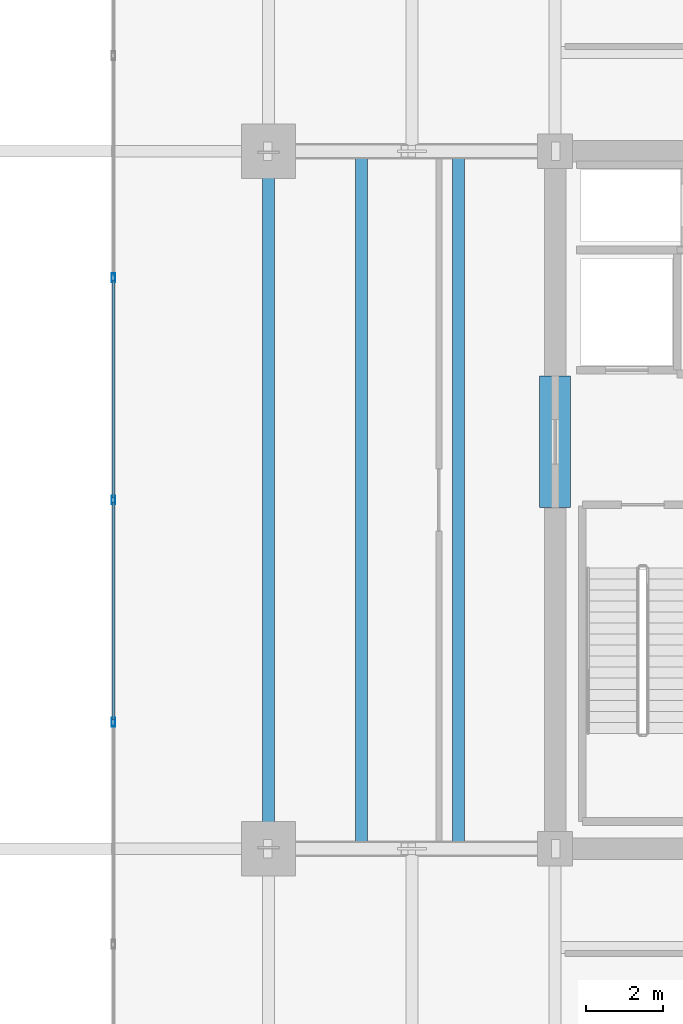
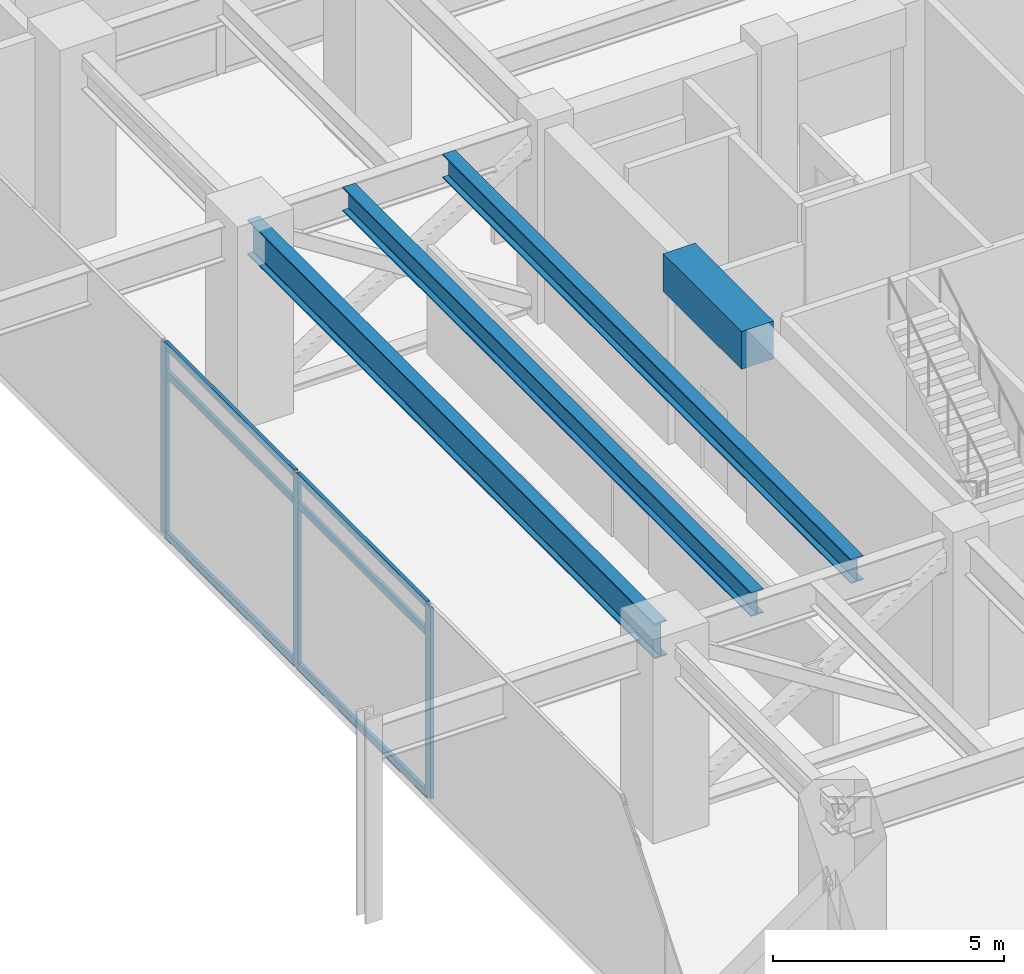
# One storey, part 6 of 21: 9 members, 4 beams, 1 element without a shape of its own.
"""IFC4 building model written with IfcOpenShell, lengths in metres."""

from ifc_helpers import new_model, si_unit, direction, frame, origin, origin_2d, place, context, subcontext, project, spatial, rectangle, hollow_rectangle, i_section, extrude, material, material_profile, profile_set, type_object, element, aggregate, save


model = new_model("IFC4")

# Units and contexts
model_context = context("Model", 3, precision=1e-05, world=origin(), true_north=direction((0.0, 1.0)))
body_context = subcontext(model_context, "Body", "Model", "MODEL_VIEW")
ifc_project = project(units=[si_unit("LENGTHUNIT", "METRE"), si_unit("AREAUNIT", "SQUARE_METRE"), si_unit("VOLUMEUNIT", "CUBIC_METRE"), si_unit("PLANEANGLEUNIT", "RADIAN"), si_unit("MASSUNIT", "GRAM", prefix="KILO")], contexts=[model_context])

# Site, building, storey
site_placement = place(None, origin())
site = spatial("IfcSite", under=ifc_project, at=site_placement, CompositionType="ELEMENT")
building_placement = place(site_placement, origin())
building = spatial("IfcBuilding", under=site, at=building_placement, Name="Kovane Verandah Tower", CompositionType="ELEMENT")
storey_placement = place(building_placement, frame((0.0, 0.0, 189.39990234375)))
storey = spatial("IfcBuildingStorey", under=building, at=storey_placement, Name="L44", CompositionType="ELEMENT", Elevation=189.39990234375)

# Beams
ifc_material_1 = material(Name="Concrete C60/75", Category="concrete")
ifc_material_profile_1 = material_profile(ifc_material_1, rectangle(XDim=0.800048828125, YDim=1.0, at=origin_2d()), Name="RCB800x1000")
ifc_profile_set_1 = profile_set([ifc_material_profile_1], Name="Concrete C60/75")
beam_type_1 = type_object("IfcBeamType", Name="BM-LINTEL-800x1000", PredefinedType="LINTEL", material=ifc_profile_set_1)
beam_1_placement = place(storey_placement, frame((29.0, 27.300048828125, 4.60009765625), z_axis=(0.0, 1.0, 0.0), x_axis=(-1.0, 0.0, 0.0)))
element("IfcBeam", 1, at=beam_1_placement, inside=storey, type_object=beam_type_1, Name="L44 Core Coupling Lintel CL-W", PredefinedType="LINTEL", context=body_context, shape_type="SweptSolid", body=[
    extrude(rectangle(XDim=0.800048828125, YDim=1.0, at=origin_2d()), origin(), (0.0, 0.0, 1.0), 3.39990234375),
])
ifc_material_2 = material(Name="Steel S460", Category="steel")
ifc_material_profile_2 = material_profile(ifc_material_2, i_section(OverallWidth=0.311279296875, OverallDepth=0.6357421875, WebThickness=0.018310546875, FlangeThickness=0.031494140625, FilletRadius=0.0166015625, at=origin_2d()), Name="UB610x305x238")
ifc_profile_set_2 = profile_set([ifc_material_profile_2], Name="Steel S460")
beam_type_2 = type_object("IfcBeamType", Name="BM-UB610x238", PredefinedType="BEAM", material=ifc_profile_set_2)
for number, where, z_axis, x_axis, name in (
    (2, (24.0, 18.65185546875, 4.7822265625), (0.0, 1.0, 0.0), (-1.0, 0.0, 0.0), "L44 Secondary Composite Joist J-W1"),
    (3, (26.5, 18.65185546875, 4.7822265625), (0.0, 1.0, 0.0), (-1.0, 0.0, 0.0), "L44 Secondary Composite Joist J-W2"),
):
    element("IfcBeam", number, at=place(storey_placement, frame(where, z_axis=z_axis, x_axis=x_axis)), inside=storey, type_object=beam_type_2, Name=name, PredefinedType="BEAM", context=body_context, shape_type="SweptSolid", body=[
        extrude(i_section(OverallWidth=0.311279296875, OverallDepth=0.6357421875, WebThickness=0.018310546875, FlangeThickness=0.031494140625, FilletRadius=0.0166015625, at=origin_2d()), origin(), (0.0, 0.0, 1.0), 17.6962890625),
    ])
ifc_material_profile_3 = material_profile(ifc_material_2, i_section(OverallWidth=0.3076171875, OverallDepth=0.926513671875, WebThickness=0.01953125, FlangeThickness=0.031982421875, FilletRadius=0.01904296875, at=origin_2d()), Name="UB914x305x289")
ifc_profile_set_3 = profile_set([ifc_material_profile_3], Name="Steel S460")
beam_type_3 = type_object("IfcBeamType", Name="BM-UB914x289", PredefinedType="BEAM", material=ifc_profile_set_3)
beam_2_placement = place(storey_placement, frame((21.60009765625, 18.679931640625, 4.63671875), z_axis=(0.0, 1.0, 0.0), x_axis=(-1.0, 0.0, 0.0)))
element("IfcBeam", 4, at=beam_2_placement, inside=storey, type_object=beam_type_3, Name="L44 Primary Tower Girder G-RW2", PredefinedType="BEAM", context=body_context, shape_type="SweptSolid", body=[
    extrude(i_section(OverallWidth=0.3076171875, OverallDepth=0.926513671875, WebThickness=0.01953125, FlangeThickness=0.031982421875, FilletRadius=0.01904296875, at=origin_2d()), origin(), (0.0, 0.0, 1.0), 17.64013671875),
])

# Curtain wall, members
ifc_material_3 = material(Name="Champagne Anodised Aluminium Frame with Low-E Clear Laminated Glass", Category="aluminium")
curtain_wall_type = type_object("IfcCurtainWallType", Name="CW-SYS-04-WAIST", PredefinedType="NOTDEFINED", material=ifc_material_3)
curtain_wall_placement = place(storey_placement, origin())
curtain_wall = element("IfcCurtainWall", 5, at=curtain_wall_placement, inside=storey, type_object=curtain_wall_type, Name="L44 W Unitised Curtain Wall", PredefinedType="NOTDEFINED")
ifc_material_4 = material(Name="Champagne Anodised Aluminium 6063-T6", Category="aluminium")
ifc_material_profile_4 = material_profile(ifc_material_4, hollow_rectangle(XDim=0.0849609375, YDim=0.22998046875, WallThickness=0.00390625, at=origin_2d()), Name="AL85x230x4")
ifc_profile_set_4 = profile_set([ifc_material_profile_4], Name="Champagne Anodised Aluminium 6063-T6")
member_type_1 = type_object("IfcMemberType", Name="CW-MUL-85x230", PredefinedType="MULLION", material=ifc_profile_set_4)
member_1_placement = place(storey_placement, frame((17.60009765625, 33.2333984375, 0.02001953125), z_axis=(0.0, 0.0, 1.0), x_axis=(-1.0, 0.0, 0.0)))
member_1 = element("IfcMember", 6, at=member_1_placement, type_object=member_type_1, Name="L44 W Unitised Curtain Wall Mullion 3", PredefinedType="MULLION", context=body_context, shape_type="SweptSolid", body=[
    extrude(hollow_rectangle(XDim=0.0849609375, YDim=0.22998046875, WallThickness=0.00390625, at=origin_2d()), origin(), (0.0, 0.0, 1.0), 5.06005859375),
])
member_2_placement = place(storey_placement, frame((17.60009765625, 27.5, 0.02001953125), z_axis=(0.0, 0.0, 1.0), x_axis=(-1.0, 0.0, 0.0)))
member_2 = element("IfcMember", 7, at=member_2_placement, type_object=member_type_1, Name="L44 W Unitised Curtain Wall Mullion 4", PredefinedType="MULLION", context=body_context, shape_type="SweptSolid", body=[
    extrude(hollow_rectangle(XDim=0.0849609375, YDim=0.22998046875, WallThickness=0.00390625, at=origin_2d()), origin(), (0.0, 0.0, 1.0), 5.06005859375),
])
member_3_placement = place(storey_placement, frame((17.60009765625, 21.7666015625, 0.02001953125), z_axis=(0.0, 0.0, 1.0), x_axis=(-1.0, 0.0, 0.0)))
member_3 = element("IfcMember", 8, at=member_3_placement, type_object=member_type_1, Name="L44 W Unitised Curtain Wall Mullion 5", PredefinedType="MULLION", context=body_context, shape_type="SweptSolid", body=[
    extrude(hollow_rectangle(XDim=0.0849609375, YDim=0.22998046875, WallThickness=0.00390625, at=origin_2d()), origin(), (0.0, 0.0, 1.0), 5.06005859375),
])
ifc_material_profile_5 = material_profile(ifc_material_4, hollow_rectangle(XDim=0.0849609375, YDim=0.18994140625, WallThickness=0.00390625, at=origin_2d()), Name="AL85x190x4")
ifc_profile_set_5 = profile_set([ifc_material_profile_5], Name="Champagne Anodised Aluminium 6063-T6")
member_type_2 = type_object("IfcMemberType", Name="CW-TRN-85x190", PredefinedType="USERDEFINED", material=ifc_profile_set_5)
member_4_placement = place(storey_placement, frame((17.60009765625, 33.183349609375, 0.050048828125), z_axis=(0.0, -1.0, 0.0), x_axis=(1.0, 0.0, 0.0)))
member_4 = element("IfcMember", 9, at=member_4_placement, type_object=member_type_2, Name="L44 W Unitised Curtain Wall Transom TB Bay 3", ObjectType="TRANSOM", PredefinedType="USERDEFINED", context=body_context, shape_type="SweptSolid", body=[
    extrude(hollow_rectangle(XDim=0.0849609375, YDim=0.18994140625, WallThickness=0.00390625, at=origin_2d()), origin(), (0.0, 0.0, 1.0), 5.63330078125),
])
member_5_placement = place(storey_placement, frame((17.60009765625, 33.183349609375, 4.320068359375), z_axis=(0.0, -1.0, 0.0), x_axis=(1.0, 0.0, 0.0)))
member_5 = element("IfcMember", 10, at=member_5_placement, type_object=member_type_2, Name="L44 W Unitised Curtain Wall Transom TM Bay 3", ObjectType="TRANSOM", PredefinedType="USERDEFINED", context=body_context, shape_type="SweptSolid", body=[
    extrude(hollow_rectangle(XDim=0.0849609375, YDim=0.18994140625, WallThickness=0.00390625, at=origin_2d()), origin(), (0.0, 0.0, 1.0), 5.63330078125),
])
member_6_placement = place(storey_placement, frame((17.60009765625, 33.183349609375, 5.050048828125), z_axis=(0.0, -1.0, 0.0), x_axis=(1.0, 0.0, 0.0)))
member_6 = element("IfcMember", 11, at=member_6_placement, type_object=member_type_2, Name="L44 W Unitised Curtain Wall Transom TT Bay 3", ObjectType="TRANSOM", PredefinedType="USERDEFINED", context=body_context, shape_type="SweptSolid", body=[
    extrude(hollow_rectangle(XDim=0.0849609375, YDim=0.18994140625, WallThickness=0.00390625, at=origin_2d()), origin(), (0.0, 0.0, 1.0), 5.63330078125),
])
member_7_placement = place(storey_placement, frame((17.60009765625, 27.449951171875, 0.050048828125), z_axis=(0.0, -1.0, 0.0), x_axis=(1.0, 0.0, 0.0)))
member_7 = element("IfcMember", 12, at=member_7_placement, type_object=member_type_2, Name="L44 W Unitised Curtain Wall Transom TB Bay 4", ObjectType="TRANSOM", PredefinedType="USERDEFINED", context=body_context, shape_type="SweptSolid", body=[
    extrude(hollow_rectangle(XDim=0.0849609375, YDim=0.18994140625, WallThickness=0.00390625, at=origin_2d()), origin(), (0.0, 0.0, 1.0), 5.63330078125),
])
member_8_placement = place(storey_placement, frame((17.60009765625, 27.449951171875, 4.320068359375), z_axis=(0.0, -1.0, 0.0), x_axis=(1.0, 0.0, 0.0)))
member_8 = element("IfcMember", 13, at=member_8_placement, type_object=member_type_2, Name="L44 W Unitised Curtain Wall Transom TM Bay 4", ObjectType="TRANSOM", PredefinedType="USERDEFINED", context=body_context, shape_type="SweptSolid", body=[
    extrude(hollow_rectangle(XDim=0.0849609375, YDim=0.18994140625, WallThickness=0.00390625, at=origin_2d()), origin(), (0.0, 0.0, 1.0), 5.63330078125),
])
member_9_placement = place(storey_placement, frame((17.60009765625, 27.449951171875, 5.050048828125), z_axis=(0.0, -1.0, 0.0), x_axis=(1.0, 0.0, 0.0)))
member_9 = element("IfcMember", 14, at=member_9_placement, type_object=member_type_2, Name="L44 W Unitised Curtain Wall Transom TT Bay 4", ObjectType="TRANSOM", PredefinedType="USERDEFINED", context=body_context, shape_type="SweptSolid", body=[
    extrude(hollow_rectangle(XDim=0.0849609375, YDim=0.18994140625, WallThickness=0.00390625, at=origin_2d()), origin(), (0.0, 0.0, 1.0), 5.63330078125),
])
aggregate(curtain_wall, [member_1, member_2, member_3, member_4, member_5, member_6, member_7, member_8, member_9])

save(model, "model.ifc")
